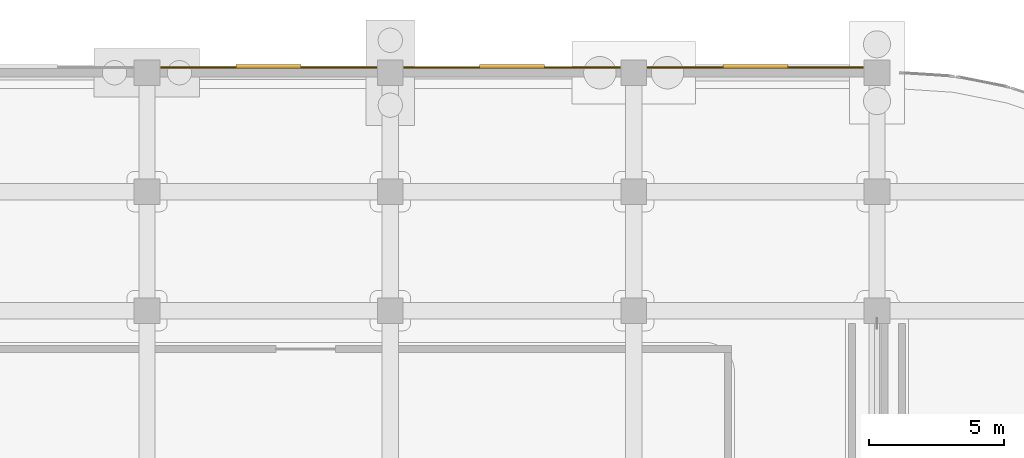
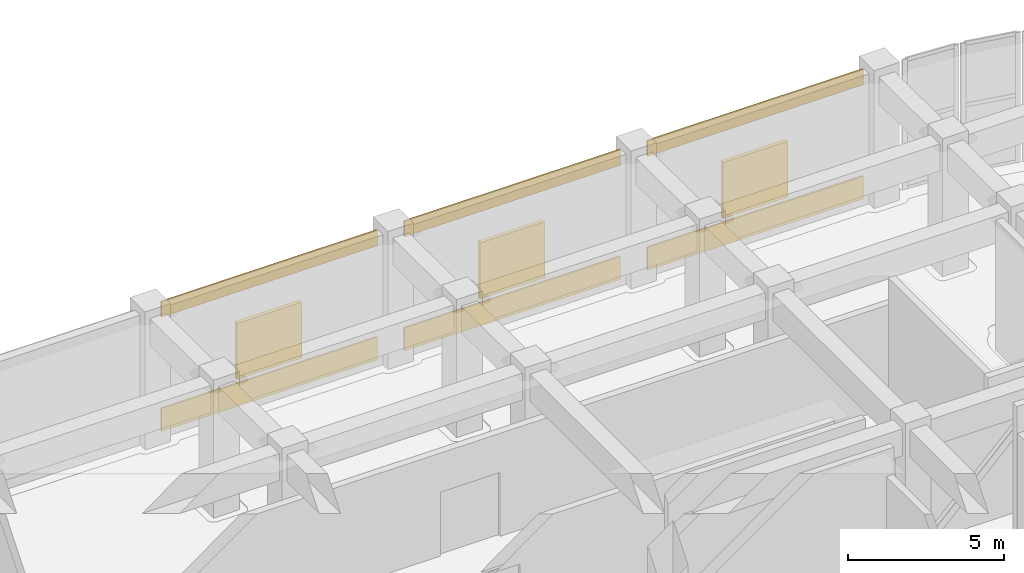
# One storey, part 73 of 74: 6 coverings, 3 shading devices.
"""IFC4 building model written with IfcOpenShell, lengths in metres."""

from ifc_helpers import new_model, si_unit, direction, frame, origin, origin_2d, place, context, subcontext, project, spatial, rectangle, extrude, material, layer, layer_set, type_object, element, save


model = new_model("IFC4")

# Units and contexts
model_context = context("Model", 3, precision=1e-05, world=origin(), true_north=direction((0.0, 1.0)))
body_context = subcontext(model_context, "Body", "Model", "MODEL_VIEW")
ifc_project = project(units=[si_unit("LENGTHUNIT", "METRE"), si_unit("AREAUNIT", "SQUARE_METRE"), si_unit("VOLUMEUNIT", "CUBIC_METRE"), si_unit("PLANEANGLEUNIT", "RADIAN"), si_unit("MASSUNIT", "GRAM", prefix="KILO")], contexts=[model_context])

# Site, building, storey
site_placement = place(None, origin())
site = spatial("IfcSite", under=ifc_project, at=site_placement, CompositionType="ELEMENT")
building_placement = place(site_placement, origin())
building = spatial("IfcBuilding", under=site, at=building_placement, Name="Cendralis Terraced Arcade", CompositionType="ELEMENT")
storey_placement = place(building_placement, origin())
storey = spatial("IfcBuildingStorey", under=building, at=storey_placement, Name="L00", CompositionType="ELEMENT", Elevation=0.0)

# Coverings
ifc_material_1 = material(Name="Precast concrete f'c 40 MPa", Category="concrete")
ifc_layer = layer(ifc_material_1, 0.06494140625, Name="COV-CLAD-GRC-65")
ifc_layer_set = layer_set([ifc_layer], Name="Precast concrete f'c 40 MPa")
covering_type = type_object("IfcCoveringType", Name="COV-CLAD-GRC-65", PredefinedType="CLADDING", material=ifc_layer_set)
covering_1_placement = place(storey_placement, frame((134.699951171875, 116.18994140625, 0.0), z_axis=(0.0, 0.0, 1.0), x_axis=(1.0, 0.0, 0.0)))
element("IfcCovering", 1, at=covering_1_placement, inside=storey, type_object=covering_type, Name="Banded Precast Stone Spandrel Cladding L00-053", PredefinedType="CLADDING", context=body_context, shape_type="SweptSolid", body=[
    extrude(rectangle(XDim=7.993896484375, YDim=0.06494140625, at=origin_2d()), origin(), (0.0, 0.0, 1.0), 0.89990234375),
])
covering_2_placement = place(storey_placement, frame((134.699951171875, 116.18994140625, 4.469970703125), z_axis=(0.0, 0.0, 1.0), x_axis=(1.0, 0.0, 0.0)))
element("IfcCovering", 2, at=covering_2_placement, inside=storey, type_object=covering_type, Name="Banded Precast Stone Lintel Cladding L00-054", PredefinedType="CLADDING", context=body_context, shape_type="SweptSolid", body=[
    extrude(rectangle(XDim=7.993896484375, YDim=0.06494140625, at=origin_2d()), origin(), (0.0, 0.0, 1.0), 0.60009765625),
])
covering_3_placement = place(storey_placement, frame((143.699951171875, 116.18994140625, 0.0), z_axis=(0.0, 0.0, 1.0), x_axis=(1.0, 0.0, 0.0)))
element("IfcCovering", 3, at=covering_3_placement, inside=storey, type_object=covering_type, Name="Banded Precast Stone Spandrel Cladding L00-055", PredefinedType="CLADDING", context=body_context, shape_type="SweptSolid", body=[
    extrude(rectangle(XDim=7.993896484375, YDim=0.06494140625, at=origin_2d()), origin(), (0.0, 0.0, 1.0), 0.89990234375),
])
covering_4_placement = place(storey_placement, frame((143.699951171875, 116.18994140625, 4.469970703125), z_axis=(0.0, 0.0, 1.0), x_axis=(1.0, 0.0, 0.0)))
element("IfcCovering", 4, at=covering_4_placement, inside=storey, type_object=covering_type, Name="Banded Precast Stone Lintel Cladding L00-056", PredefinedType="CLADDING", context=body_context, shape_type="SweptSolid", body=[
    extrude(rectangle(XDim=7.993896484375, YDim=0.06494140625, at=origin_2d()), origin(), (0.0, 0.0, 1.0), 0.60009765625),
])
covering_5_placement = place(storey_placement, frame((152.699951171875, 116.18994140625, 0.0), z_axis=(0.0, 0.0, 1.0), x_axis=(1.0, 0.0, 0.0)))
element("IfcCovering", 5, at=covering_5_placement, inside=storey, type_object=covering_type, Name="Banded Precast Stone Spandrel Cladding L00-057", PredefinedType="CLADDING", context=body_context, shape_type="SweptSolid", body=[
    extrude(rectangle(XDim=7.993896484375, YDim=0.06494140625, at=origin_2d()), origin(), (0.0, 0.0, 1.0), 0.89990234375),
])
covering_6_placement = place(storey_placement, frame((152.699951171875, 116.18994140625, 4.469970703125), z_axis=(0.0, 0.0, 1.0), x_axis=(1.0, 0.0, 0.0)))
element("IfcCovering", 6, at=covering_6_placement, inside=storey, type_object=covering_type, Name="Banded Precast Stone Lintel Cladding L00-058", PredefinedType="CLADDING", context=body_context, shape_type="SweptSolid", body=[
    extrude(rectangle(XDim=7.993896484375, YDim=0.06494140625, at=origin_2d()), origin(), (0.0, 0.0, 1.0), 0.60009765625),
])

# Shading devices
ifc_material_2 = material(Name="Anodised aluminium EN AW-6063 T6", Category="aluminium")
shading_device_type = type_object("IfcShadingDeviceType", Name="SHD-LOUVRE-JAL", PredefinedType="JALOUSIE", material=ifc_material_2)
for number, where, z_axis, x_axis, name in (
    (7, (134.699951171875, 116.22509765625, 1.0498046875), (0.0, 0.0, 1.0), (1.0, 0.0, 0.0), "Acoustic Plant Intake Jalousie Louvre JAL-L00-03"),
    (8, (143.699951171875, 116.22509765625, 1.0498046875), (0.0, 0.0, 1.0), (1.0, 0.0, 0.0), "Acoustic Plant Intake Jalousie Louvre JAL-L00-04"),
    (9, (152.699951171875, 116.22509765625, 1.0498046875), (0.0, 0.0, 1.0), (1.0, 0.0, 0.0), "Acoustic Plant Intake Jalousie Louvre JAL-L00-05"),
):
    element("IfcShadingDevice", number, at=place(storey_placement, frame(where, z_axis=z_axis, x_axis=x_axis)), inside=storey, type_object=shading_device_type, Name=name, PredefinedType="JALOUSIE", context=body_context, shape_type="SweptSolid", body=[
        extrude(rectangle(XDim=2.39990234375, YDim=0.139892578125, at=origin_2d()), origin(), (0.0, 0.0, 1.0), 2.199951171875),
    ])

save(model, "model.ifc")
